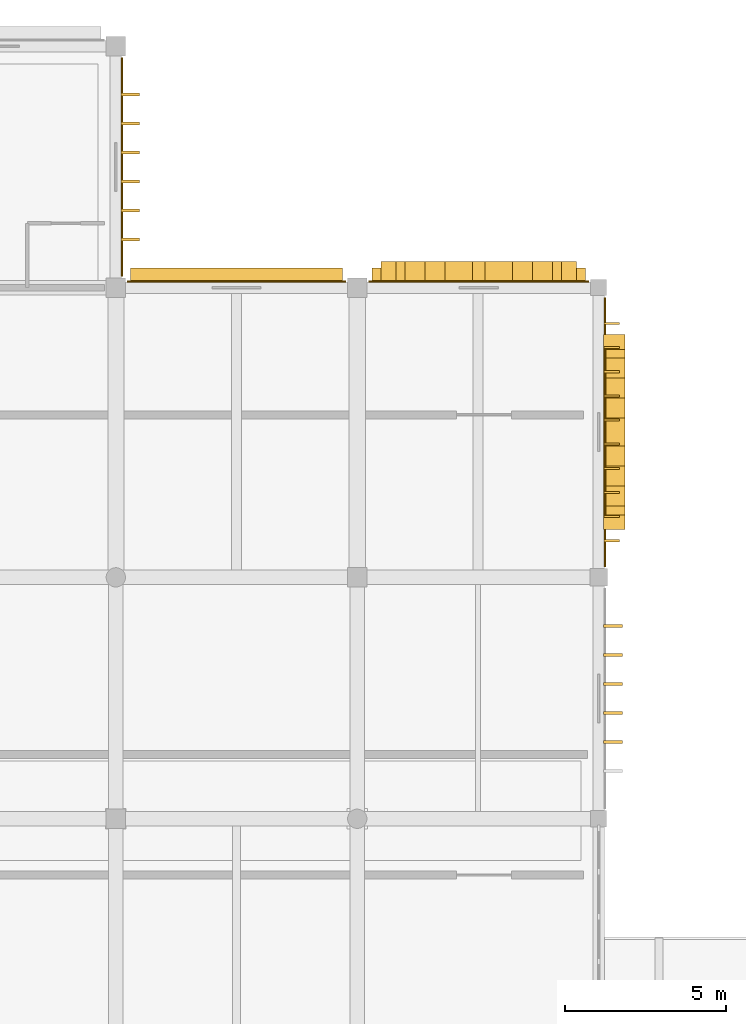
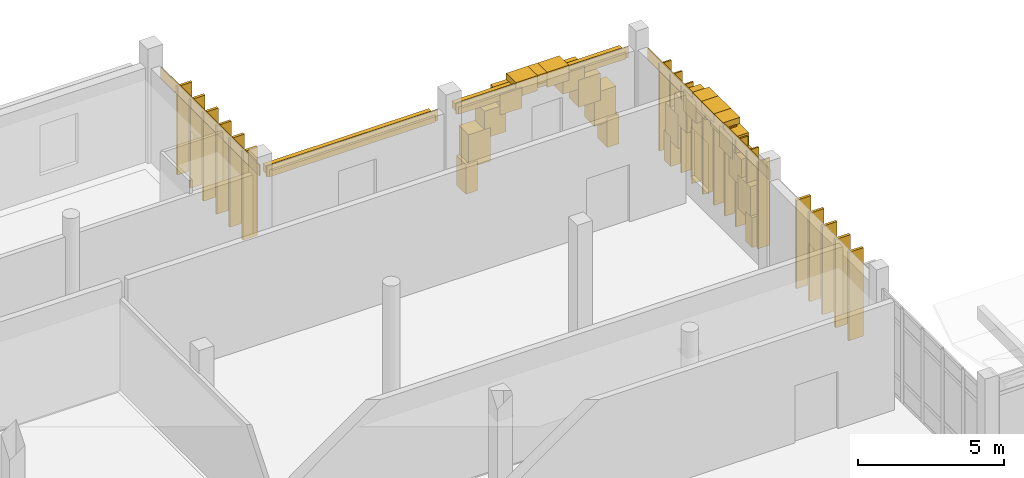
# One storey, part 131 of 131: 37 coverings, 12 shading devices.
"""IFC4 building model written with IfcOpenShell, lengths in metres."""

import ifcopenshell
import ifcopenshell.guid

model = None  # the IFC model being written
_history = None  # IfcOwnerHistory: only IFC2X3 demands one
_inside = {}  # id of a spatial element -> (the spatial element, [elements in it])
_under = {}  # id of a project, library or spatial element -> (it, [spatial elements below it])
_declared = {}  # id of a project -> (the project, [libraries it declares])
_typed = {}  # id of a type object -> (the type object, [elements of that type])
_made_of = {}  # id of a material, layer set ... -> (it, [elements and type objects made of it])


def new_model(schema):
    """Start an empty IFC model of exactly this schema.

    Asked for "IFC4X3", IfcOpenShell would pick the latest addendum, in which some entities
    have other attributes; the version numbers below select the first issue.
    IFC2X3 requires an IfcOwnerHistory on every rooted entity: one is made here for all.
    """
    global model, _history
    if schema == "IFC4X3":
        model = ifcopenshell.file(schema_version=(4, 3, 0, 0))
    else:
        model = ifcopenshell.file(schema=schema)
    _inside.clear()
    _under.clear()
    _declared.clear()
    _typed.clear()
    _made_of.clear()
    _history = None
    if model.schema == "IFC2X3":
        org = make("IfcOrganization", Name="unknown")
        user = make(
            "IfcPersonAndOrganization",
            ThePerson=make("IfcPerson", FamilyName="unknown"),
            TheOrganization=org,
        )
        app = make(
            "IfcApplication",
            ApplicationDeveloper=org,
            Version="unknown",
            ApplicationFullName="unknown",
            ApplicationIdentifier="unknown",
        )
        _history = make(
            "IfcOwnerHistory",
            OwningUser=user,
            OwningApplication=app,
            ChangeAction="ADDED",
            CreationDate=0,
        )
    return model


def make(cls, **values):
    """One entity of the class cls with the attributes given. An attribute that is None is left unset."""
    return model.create_entity(
        cls, **{name: value for name, value in values.items() if value is not None}
    )


def rooted(cls, **values):
    """An entity with a GlobalId (a new one), such as an element, a storey or a relation."""
    return make(cls, GlobalId=ifcopenshell.guid.new(), OwnerHistory=_history, **values)


def si_unit(unit_type, name, prefix=None):
    """IfcSIUnit, for example si_unit("LENGTHUNIT", "METRE", prefix="MILLI")."""
    return make("IfcSIUnit", UnitType=unit_type, Prefix=prefix, Name=name)


def assignment(units):
    """IfcUnitAssignment: the units of a project."""
    return None if units is None else make("IfcUnitAssignment", Units=units)


def point(xyz):
    """IfcCartesianPoint."""
    return None if xyz is None else make("IfcCartesianPoint", Coordinates=xyz)


def direction(xyz):
    """IfcDirection."""
    return None if xyz is None else make("IfcDirection", DirectionRatios=xyz)


def frame(location, z_axis=None, x_axis=None):
    """IfcAxis2Placement3D, a coordinate frame: its origin and axes. An axis left out is left unset."""
    return make(
        "IfcAxis2Placement3D",
        Location=point(location),
        Axis=direction(z_axis),
        RefDirection=direction(x_axis),
    )


def frame_2d(location, x_axis=None):
    """IfcAxis2Placement2D, a coordinate frame in the plane: its origin and x axis."""
    return make(
        "IfcAxis2Placement2D", Location=point(location), RefDirection=direction(x_axis)
    )


def origin():
    """The frame at (0, 0, 0) with its axes left unset."""
    return frame((0.0, 0.0, 0.0))


def origin_2d():
    """The frame at (0, 0) in the plane with its x axis left unset."""
    return frame_2d((0.0, 0.0))


def place(relative_to, where):
    """IfcLocalPlacement: puts the frame where relative to a parent placement (None: the world)."""
    return make(
        "IfcLocalPlacement", PlacementRelTo=relative_to, RelativePlacement=where
    )


def context(
    kind, dimensions, precision=None, world=None, true_north=None, identifier=None
):
    """IfcGeometricRepresentationContext, for example the 3D "Model" context."""
    return make(
        "IfcGeometricRepresentationContext",
        ContextIdentifier=identifier,
        ContextType=kind,
        CoordinateSpaceDimension=dimensions,
        Precision=precision,
        WorldCoordinateSystem=world,
        TrueNorth=true_north,
    )


def subcontext(parent, identifier, kind, view, scale=None):
    """IfcGeometricRepresentationSubContext, for example "Body" below "Model"."""
    return make(
        "IfcGeometricRepresentationSubContext",
        ContextIdentifier=identifier,
        ContextType=kind,
        ParentContext=parent,
        TargetScale=scale,
        TargetView=view,
    )


def project(units=None, contexts=None):
    """IfcProject with its units and contexts."""
    return rooted(
        "IfcProject",
        Name="project",
        RepresentationContexts=contexts,
        UnitsInContext=assignment(units),
    )


def spatial(cls, under=None, at=None, **own):
    """A site, building, storey or space (cls), placed at a placement, below another one or the project."""
    s = rooted(cls, ObjectPlacement=at, **own)
    if under is not None:
        _under.setdefault(under.id(), (under, []))[1].append(s)
    return s


def profile(cls, at=None, kind="AREA", **sizes):
    """A parametric profile (cls). Its sizes go by their IFC names, for example OverallWidth=200.0."""
    return make(cls, ProfileType=kind, Position=at, **sizes)


def rectangle(**sizes):
    """IfcRectangleProfileDef."""
    return profile("IfcRectangleProfileDef", **sizes)


def extrude(swept, where, along, depth):
    """IfcExtrudedAreaSolid: the profile swept, set in the frame where, extruded along a direction by depth."""
    return make(
        "IfcExtrudedAreaSolid",
        SweptArea=swept,
        Position=where,
        ExtrudedDirection=direction(along),
        Depth=depth,
    )


def shape(context_of_items, identifier, shape_type, items):
    """IfcShapeRepresentation: the items that make up one representation, for example the "Body"."""
    return make(
        "IfcShapeRepresentation",
        ContextOfItems=context_of_items,
        RepresentationIdentifier=identifier,
        RepresentationType=shape_type,
        Items=items,
    )


def material(Name=None, Category=None):
    """IfcMaterial."""
    return make("IfcMaterial", Name=Name, Category=Category)


def layer(
    of_material, thickness, ventilated=None, Name=None, Category=None, Priority=None
):
    """IfcMaterialLayer: one layer of a wall or slab, of a material (None: an air gap)."""
    return make(
        "IfcMaterialLayer",
        Material=of_material,
        LayerThickness=thickness,
        IsVentilated=ventilated,
        Name=Name,
        Category=Category,
        Priority=Priority,
    )


def layer_set(layers, Name=None):
    """IfcMaterialLayerSet."""
    return make("IfcMaterialLayerSet", MaterialLayers=layers, LayerSetName=Name)


def made_of(thing, what):
    """Note that an element or type object is made of a material, layer set ...; save() writes the relation."""
    if what is not None:
        _made_of.setdefault(what.id(), (what, []))[1].append(thing)
    return thing


def type_object(cls, material=None, **own):
    """A type object (cls), such as IfcWallType, which elements share."""
    return made_of(rooted(cls, **own), material)


def element(
    cls,
    number,
    at=None,
    inside=None,
    cuts=None,
    type_object=None,
    material=None,
    context=None,
    identifier="Body",
    shape_type=None,
    held_by="IfcProductDefinitionShape",
    body=None,
    shapes=None,
    **own,
):
    """One element of the class cls, such as IfcWall. Its Tag is "e" and its number.

    at: its placement. inside: the storey or other place that contains it. cuts: it is an
    opening in that element (IfcRelVoidsElement). A single representation is given by context,
    identifier, shape_type and body (its items); several are given by shapes. held_by: the class
    of the entity that holds the representations. save() writes the other relations.
    """
    e = rooted(cls, Tag="e%d" % number, ObjectPlacement=at, **own)
    if body is not None:
        shapes = [shape(context, identifier, shape_type, body)]
    if shapes is not None:
        e.Representation = make(held_by, Representations=shapes)
    if inside is not None:
        _inside.setdefault(inside.id(), (inside, []))[1].append(e)
    if cuts is not None:
        rooted(
            "IfcRelVoidsElement", RelatingBuildingElement=cuts, RelatedOpeningElement=e
        )
    if type_object is not None:
        _typed.setdefault(type_object.id(), (type_object, []))[1].append(e)
    return made_of(e, material)


def aggregate(whole, parts):
    """IfcRelAggregates: a whole, such as a stair, and the parts it consists of."""
    return rooted("IfcRelAggregates", RelatingObject=whole, RelatedObjects=parts)


def save(model, path):
    """Write the relations noted so far, then the file.

    IfcRelAggregates (storeys below a building ...), IfcRelContainedInSpatialStructure (elements
    in a storey), IfcRelDefinesByType, IfcRelAssociatesMaterial and IfcRelDeclares: one each for
    every whole, place, type object, material and project.
    """
    for whole, parts in _under.values():
        aggregate(whole, parts)
    for where, things in _inside.values():
        rooted(
            "IfcRelContainedInSpatialStructure",
            RelatedElements=things,
            RelatingStructure=where,
        )
    for kind, things in _typed.values():
        rooted("IfcRelDefinesByType", RelatedObjects=things, RelatingType=kind)
    for what, things in _made_of.values():
        rooted("IfcRelAssociatesMaterial", RelatedObjects=things, RelatingMaterial=what)
    for by, libraries in _declared.values():
        rooted("IfcRelDeclares", RelatingContext=by, RelatedDefinitions=libraries)
    model.write(path)


model = new_model("IFC4")

# Units and contexts
model_context = context("Model", 3, precision=1e-05, world=origin(), true_north=direction((0.0, 1.0)))
body_context = subcontext(model_context, "Body", "Model", "MODEL_VIEW")
ifc_project = project(units=[si_unit("LENGTHUNIT", "METRE"), si_unit("AREAUNIT", "SQUARE_METRE"), si_unit("VOLUMEUNIT", "CUBIC_METRE"), si_unit("PLANEANGLEUNIT", "RADIAN"), si_unit("MASSUNIT", "GRAM", prefix="KILO")], contexts=[model_context])

# Site, building, storey
site_placement = place(None, origin())
site = spatial("IfcSite", under=ifc_project, at=site_placement, CompositionType="ELEMENT")
building_placement = place(site_placement, origin())
building = spatial("IfcBuilding", under=site, at=building_placement, Name="Dalvernix Boulevard General Hospital", CompositionType="ELEMENT")
storey_placement = place(building_placement, frame((0.0, 0.0, 9.300048828125)))
storey = spatial("IfcBuildingStorey", under=building, at=storey_placement, Name="L02", CompositionType="ELEMENT", Elevation=9.300048828125)

# Coverings
ifc_material_1 = material(Name="Pressed Catalan clay brick and dressed limestone parabolic archivolt", Category="masonry")
ifc_layer_1 = layer(ifc_material_1, 0.419921875)
ifc_layer_set_1 = layer_set([ifc_layer_1], Name="Pressed Catalan clay brick and dressed limestone parabolic archivolt (COV-ARC-01)")
covering_type_1 = type_object("IfcCoveringType", Name="COV-ARC-01", PredefinedType="CLADDING", material=ifc_layer_set_1)
for number, where, z_axis, x_axis, name in (
    (1, (135.97509765625, 109.985107421875, 0.0), (0.0, 0.0, 1.0), (1.0, 0.0, 0.0), "L02 Catalan parabolic arch impost pier N 18-14-L"),
    (2, (141.574951171875, 109.985107421875, 0.0), (0.0, 0.0, 1.0), (1.0, 0.0, 0.0), "L02 Catalan parabolic arch impost pier N 18-14-R"),
):
    element("IfcCovering", number, at=place(storey_placement, frame(where, z_axis=z_axis, x_axis=x_axis)), inside=storey, type_object=covering_type_1, Name=name, PredefinedType="CLADDING", context=body_context, shape_type="SweptSolid", body=[
        extrude(rectangle(XDim=0.4599609375, YDim=0.659912109375, at=origin_2d()), origin(), (0.0, 0.0, 1.0), 1.25),
    ])
covering_1_placement = place(storey_placement, frame((136.2861328125, 109.985107421875, 1.059814453125), z_axis=(0.0, 0.0, 1.0), x_axis=(1.0, 0.0, 0.0)))
element("IfcCovering", 3, at=covering_1_placement, inside=storey, type_object=covering_type_1, Name="L02 Catalan parabolic archivolt voussoir N 18-14-1", PredefinedType="CLADDING", context=body_context, shape_type="SweptSolid", body=[
    extrude(rectangle(XDim=0.8623046875, YDim=0.659912109375, at=origin_2d()), origin(), (0.0, 0.0, 1.0), 1.3994140625),
])
covering_2_placement = place(storey_placement, frame((136.908203125, 109.985107421875, 2.0791015625), z_axis=(0.0, 0.0, 1.0), x_axis=(1.0, 0.0, 0.0)))
element("IfcCovering", 4, at=covering_2_placement, inside=storey, type_object=covering_type_1, Name="L02 Catalan parabolic archivolt voussoir N 18-14-2", PredefinedType="CLADDING", context=body_context, shape_type="SweptSolid", body=[
    extrude(rectangle(XDim=0.8623046875, YDim=0.659912109375, at=origin_2d()), origin(), (0.0, 0.0, 1.0), 1.144287109375),
])
covering_3_placement = place(storey_placement, frame((137.530517578125, 109.985107421875, 2.843505859375), z_axis=(0.0, 0.0, 1.0), x_axis=(1.0, 0.0, 0.0)))
element("IfcCovering", 5, at=covering_3_placement, inside=storey, type_object=covering_type_1, Name="L02 Catalan parabolic archivolt voussoir N 18-14-3", PredefinedType="CLADDING", context=body_context, shape_type="SweptSolid", body=[
    extrude(rectangle(XDim=0.8623046875, YDim=0.659912109375, at=origin_2d()), origin(), (0.0, 0.0, 1.0), 0.8896484375),
])
covering_4_placement = place(storey_placement, frame((138.15283203125, 109.985107421875, 3.353271484375), z_axis=(0.0, 0.0, 1.0), x_axis=(1.0, 0.0, 0.0)))
element("IfcCovering", 6, at=covering_4_placement, inside=storey, type_object=covering_type_1, Name="L02 Catalan parabolic archivolt voussoir N 18-14-4", PredefinedType="CLADDING", context=body_context, shape_type="SweptSolid", body=[
    extrude(rectangle(XDim=0.8623046875, YDim=0.659912109375, at=origin_2d()), origin(), (0.0, 0.0, 1.0), 0.634765625),
])
covering_5_placement = place(storey_placement, frame((138.77490234375, 109.985107421875, 3.608154296875), z_axis=(0.0, 0.0, 1.0), x_axis=(1.0, 0.0, 0.0)))
element("IfcCovering", 7, at=covering_5_placement, inside=storey, type_object=covering_type_1, Name="L02 Catalan parabolic archivolt voussoir N 18-14-5", PredefinedType="CLADDING", context=body_context, shape_type="SweptSolid", body=[
    extrude(rectangle(XDim=0.8623046875, YDim=0.659912109375, at=origin_2d()), origin(), (0.0, 0.0, 1.0), 0.3798828125),
])
covering_6_placement = place(storey_placement, frame((139.397216796875, 109.985107421875, 3.353271484375), z_axis=(0.0, 0.0, 1.0), x_axis=(1.0, 0.0, 0.0)))
element("IfcCovering", 8, at=covering_6_placement, inside=storey, type_object=covering_type_1, Name="L02 Catalan parabolic archivolt voussoir N 18-14-6", PredefinedType="CLADDING", context=body_context, shape_type="SweptSolid", body=[
    extrude(rectangle(XDim=0.8623046875, YDim=0.659912109375, at=origin_2d()), origin(), (0.0, 0.0, 1.0), 0.634765625),
])
covering_7_placement = place(storey_placement, frame((140.019287109375, 109.985107421875, 2.843505859375), z_axis=(0.0, 0.0, 1.0), x_axis=(1.0, 0.0, 0.0)))
element("IfcCovering", 9, at=covering_7_placement, inside=storey, type_object=covering_type_1, Name="L02 Catalan parabolic archivolt voussoir N 18-14-7", PredefinedType="CLADDING", context=body_context, shape_type="SweptSolid", body=[
    extrude(rectangle(XDim=0.8623046875, YDim=0.659912109375, at=origin_2d()), origin(), (0.0, 0.0, 1.0), 0.8896484375),
])
covering_8_placement = place(storey_placement, frame((140.6416015625, 109.985107421875, 2.0791015625), z_axis=(0.0, 0.0, 1.0), x_axis=(1.0, 0.0, 0.0)))
element("IfcCovering", 10, at=covering_8_placement, inside=storey, type_object=covering_type_1, Name="L02 Catalan parabolic archivolt voussoir N 18-14-8", PredefinedType="CLADDING", context=body_context, shape_type="SweptSolid", body=[
    extrude(rectangle(XDim=0.8623046875, YDim=0.659912109375, at=origin_2d()), origin(), (0.0, 0.0, 1.0), 1.144287109375),
])
covering_9_placement = place(storey_placement, frame((141.263916015625, 109.985107421875, 1.059814453125), z_axis=(0.0, 0.0, 1.0), x_axis=(1.0, 0.0, 0.0)))
element("IfcCovering", 11, at=covering_9_placement, inside=storey, type_object=covering_type_1, Name="L02 Catalan parabolic archivolt voussoir N 18-14-9", PredefinedType="CLADDING", context=body_context, shape_type="SweptSolid", body=[
    extrude(rectangle(XDim=0.8623046875, YDim=0.659912109375, at=origin_2d()), origin(), (0.0, 0.0, 1.0), 1.3994140625),
])
for number, where, z_axis, x_axis, name in (
    (12, (142.985107421875, 107.8125, 0.0), (0.0, 0.0, 1.0), (0.0, -1.0, 0.0), "L02 Catalan parabolic arch impost pier E 19-13-L"),
    (13, (142.985107421875, 102.21240234375, 0.0), (0.0, 0.0, 1.0), (0.0, -1.0, 0.0), "L02 Catalan parabolic arch impost pier E 19-13-R"),
):
    element("IfcCovering", number, at=place(storey_placement, frame(where, z_axis=z_axis, x_axis=x_axis)), inside=storey, type_object=covering_type_1, Name=name, PredefinedType="CLADDING", context=body_context, shape_type="SweptSolid", body=[
        extrude(rectangle(XDim=0.4599609375, YDim=0.659912109375, at=origin_2d()), origin(), (0.0, 0.0, 1.0), 1.25),
    ])
covering_10_placement = place(storey_placement, frame((142.985107421875, 107.50146484375, 1.06005859375), z_axis=(0.0, 0.0, 1.0), x_axis=(0.0, -1.0, 0.0)))
element("IfcCovering", 14, at=covering_10_placement, inside=storey, type_object=covering_type_1, Name="L02 Catalan parabolic archivolt voussoir E 19-13-1", PredefinedType="CLADDING", context=body_context, shape_type="SweptSolid", body=[
    extrude(rectangle(XDim=0.8623046875, YDim=0.659912109375, at=origin_2d()), origin(), (0.0, 0.0, 1.0), 1.4189453125),
])
covering_11_placement = place(storey_placement, frame((142.985107421875, 106.879150390625, 2.098876953125), z_axis=(0.0, 0.0, 1.0), x_axis=(0.0, -1.0, 0.0)))
element("IfcCovering", 15, at=covering_11_placement, inside=storey, type_object=covering_type_1, Name="L02 Catalan parabolic archivolt voussoir E 19-13-2", PredefinedType="CLADDING", context=body_context, shape_type="SweptSolid", body=[
    extrude(rectangle(XDim=0.8623046875, YDim=0.659912109375, at=origin_2d()), origin(), (0.0, 0.0, 1.0), 1.1591796875),
])
covering_12_placement = place(storey_placement, frame((142.985107421875, 106.2568359375, 2.878173828125), z_axis=(0.0, 0.0, 1.0), x_axis=(0.0, -1.0, 0.0)))
element("IfcCovering", 16, at=covering_12_placement, inside=storey, type_object=covering_type_1, Name="L02 Catalan parabolic archivolt voussoir E 19-13-3", PredefinedType="CLADDING", context=body_context, shape_type="SweptSolid", body=[
    extrude(rectangle(XDim=0.8623046875, YDim=0.659912109375, at=origin_2d()), origin(), (0.0, 0.0, 1.0), 0.8994140625),
])
covering_13_placement = place(storey_placement, frame((142.985107421875, 105.634765625, 3.3974609375), z_axis=(0.0, 0.0, 1.0), x_axis=(0.0, -1.0, 0.0)))
element("IfcCovering", 17, at=covering_13_placement, inside=storey, type_object=covering_type_1, Name="L02 Catalan parabolic archivolt voussoir E 19-13-4", PredefinedType="CLADDING", context=body_context, shape_type="SweptSolid", body=[
    extrude(rectangle(XDim=0.8623046875, YDim=0.659912109375, at=origin_2d()), origin(), (0.0, 0.0, 1.0), 0.639892578125),
])
covering_14_placement = place(storey_placement, frame((142.985107421875, 105.012451171875, 3.657470703125), z_axis=(0.0, 0.0, 1.0), x_axis=(0.0, -1.0, 0.0)))
element("IfcCovering", 18, at=covering_14_placement, inside=storey, type_object=covering_type_1, Name="L02 Catalan parabolic archivolt voussoir E 19-13-5", PredefinedType="CLADDING", context=body_context, shape_type="SweptSolid", body=[
    extrude(rectangle(XDim=0.8623046875, YDim=0.659912109375, at=origin_2d()), origin(), (0.0, 0.0, 1.0), 0.3798828125),
])
covering_15_placement = place(storey_placement, frame((142.985107421875, 104.390380859375, 3.3974609375), z_axis=(0.0, 0.0, 1.0), x_axis=(0.0, -1.0, 0.0)))
element("IfcCovering", 19, at=covering_15_placement, inside=storey, type_object=covering_type_1, Name="L02 Catalan parabolic archivolt voussoir E 19-13-6", PredefinedType="CLADDING", context=body_context, shape_type="SweptSolid", body=[
    extrude(rectangle(XDim=0.8623046875, YDim=0.659912109375, at=origin_2d()), origin(), (0.0, 0.0, 1.0), 0.639892578125),
])
covering_16_placement = place(storey_placement, frame((142.985107421875, 103.76806640625, 2.878173828125), z_axis=(0.0, 0.0, 1.0), x_axis=(0.0, -1.0, 0.0)))
element("IfcCovering", 20, at=covering_16_placement, inside=storey, type_object=covering_type_1, Name="L02 Catalan parabolic archivolt voussoir E 19-13-7", PredefinedType="CLADDING", context=body_context, shape_type="SweptSolid", body=[
    extrude(rectangle(XDim=0.8623046875, YDim=0.659912109375, at=origin_2d()), origin(), (0.0, 0.0, 1.0), 0.8994140625),
])
covering_17_placement = place(storey_placement, frame((142.985107421875, 103.145751953125, 2.098876953125), z_axis=(0.0, 0.0, 1.0), x_axis=(0.0, -1.0, 0.0)))
element("IfcCovering", 21, at=covering_17_placement, inside=storey, type_object=covering_type_1, Name="L02 Catalan parabolic archivolt voussoir E 19-13-8", PredefinedType="CLADDING", context=body_context, shape_type="SweptSolid", body=[
    extrude(rectangle(XDim=0.8623046875, YDim=0.659912109375, at=origin_2d()), origin(), (0.0, 0.0, 1.0), 1.1591796875),
])
covering_18_placement = place(storey_placement, frame((142.985107421875, 102.523681640625, 1.06005859375), z_axis=(0.0, 0.0, 1.0), x_axis=(0.0, -1.0, 0.0)))
element("IfcCovering", 22, at=covering_18_placement, inside=storey, type_object=covering_type_1, Name="L02 Catalan parabolic archivolt voussoir E 19-13-9", PredefinedType="CLADDING", context=body_context, shape_type="SweptSolid", body=[
    extrude(rectangle(XDim=0.8623046875, YDim=0.659912109375, at=origin_2d()), origin(), (0.0, 0.0, 1.0), 1.4189453125),
])
ifc_material_2 = material(Name="Polychrome Catalan glazed ceramic spandrel tile panel")
ifc_layer_2 = layer(ifc_material_2, 0.044921875)
ifc_layer_set_2 = layer_set([ifc_layer_2], Name="Polychrome Catalan glazed ceramic spandrel tile panel (COV-CLD-01)")
covering_type_2 = type_object("IfcCoveringType", Name="COV-CLD-01", PredefinedType="CLADDING", material=ifc_layer_set_2)
for number, where, z_axis, x_axis, name in (
    (23, (127.695068359375, 113.25, 3.47509765625), (0.0, 0.0, 1.0), (0.0, -1.0, 0.0), "L02 polychrome ceramic spandrel E 17-14"),
    (24, (131.25, 109.695068359375, 3.47509765625), (0.0, 0.0, 1.0), (1.0, 0.0, 0.0), "L02 polychrome ceramic spandrel N 17-14"),
):
    element("IfcCovering", number, at=place(storey_placement, frame(where, z_axis=z_axis, x_axis=x_axis)), inside=storey, type_object=covering_type_2, Name=name, PredefinedType="CLADDING", context=body_context, shape_type="SweptSolid", body=[
        extrude(rectangle(XDim=6.780029296875, YDim=0.044921875, at=origin_2d()), origin(), (0.0, 0.0, 1.0), 0.449951171875),
    ])
covering_19_placement = place(storey_placement, frame((138.77490234375, 109.695068359375, 3.47509765625), z_axis=(0.0, 0.0, 1.0), x_axis=(1.0, 0.0, 0.0)))
element("IfcCovering", 25, at=covering_19_placement, inside=storey, type_object=covering_type_2, Name="L02 polychrome ceramic spandrel N 18-14", PredefinedType="CLADDING", context=body_context, shape_type="SweptSolid", body=[
    extrude(rectangle(XDim=6.830078125, YDim=0.044921875, at=origin_2d()), origin(), (0.0, 0.0, 1.0), 0.449951171875),
])
covering_20_placement = place(storey_placement, frame((142.695068359375, 105.012451171875, 3.52490234375), z_axis=(0.0, 0.0, 1.0), x_axis=(0.0, -1.0, 0.0)))
element("IfcCovering", 26, at=covering_20_placement, inside=storey, type_object=covering_type_2, Name="L02 polychrome ceramic spandrel E 19-13", PredefinedType="CLADDING", context=body_context, shape_type="SweptSolid", body=[
    extrude(rectangle(XDim=8.35498046875, YDim=0.044921875, at=origin_2d()), origin(), (0.0, 0.0, 1.0), 0.449951171875),
])
ifc_material_3 = material(Name="Terracotta-clad iroko timber brise-soleil sun-breaker fin", Category="masonry")
ifc_layer_3 = layer(ifc_material_3, 0.10009765625)
ifc_layer_set_3 = layer_set([ifc_layer_3], Name="Terracotta-clad iroko timber brise-soleil sun-breaker fin (COV-FIN-02)")
covering_type_3 = type_object("IfcCoveringType", Name="COV-FIN-02", PredefinedType="CLADDING", material=ifc_layer_set_3)
for number, where, z_axis, x_axis, name in (
    (27, (127.945068359375, 115.5, 0.119873046875), (0.0, 0.0, 1.0), (0.0, -1.0, 0.0), "L02 terracotta brise-soleil fin E 17-14-1"),
    (28, (127.945068359375, 114.60009765625, 0.119873046875), (0.0, 0.0, 1.0), (0.0, -1.0, 0.0), "L02 terracotta brise-soleil fin E 17-14-2"),
    (29, (127.945068359375, 113.699951171875, 0.119873046875), (0.0, 0.0, 1.0), (0.0, -1.0, 0.0), "L02 terracotta brise-soleil fin E 17-14-3"),
    (30, (127.945068359375, 112.800048828125, 0.119873046875), (0.0, 0.0, 1.0), (0.0, -1.0, 0.0), "L02 terracotta brise-soleil fin E 17-14-4"),
    (31, (127.945068359375, 111.89990234375, 0.119873046875), (0.0, 0.0, 1.0), (0.0, -1.0, 0.0), "L02 terracotta brise-soleil fin E 17-14-5"),
    (32, (127.945068359375, 111.0, 0.119873046875), (0.0, 0.0, 1.0), (0.0, -1.0, 0.0), "L02 terracotta brise-soleil fin E 17-14-6"),
    (33, (142.945068359375, 98.987548828125, 0.119873046875), (0.0, 0.0, 1.0), (0.0, -1.0, 0.0), "L02 terracotta brise-soleil fin E 19-12-1"),
    (34, (142.945068359375, 98.08740234375, 0.119873046875), (0.0, 0.0, 1.0), (0.0, -1.0, 0.0), "L02 terracotta brise-soleil fin E 19-12-2"),
    (35, (142.945068359375, 97.1875, 0.119873046875), (0.0, 0.0, 1.0), (0.0, -1.0, 0.0), "L02 terracotta brise-soleil fin E 19-12-3"),
    (36, (142.945068359375, 96.28759765625, 0.119873046875), (0.0, 0.0, 1.0), (0.0, -1.0, 0.0), "L02 terracotta brise-soleil fin E 19-12-4"),
    (37, (142.945068359375, 95.387451171875, 0.119873046875), (0.0, 0.0, 1.0), (0.0, -1.0, 0.0), "L02 terracotta brise-soleil fin E 19-12-5"),
):
    element("IfcCovering", number, at=place(storey_placement, frame(where, z_axis=z_axis, x_axis=x_axis)), inside=storey, type_object=covering_type_3, Name=name, PredefinedType="CLADDING", context=body_context, shape_type="SweptSolid", body=[
        extrude(rectangle(XDim=0.10009765625, YDim=0.580078125, at=origin_2d()), origin(), (0.0, 0.0, 1.0), 3.7099609375),
    ])

# Shading devices
ifc_material_4 = material(Name="Preservative-treated West African iroko timber", Category="wood")
shading_device_type_1 = type_object("IfcShadingDeviceType", Name="SHD-FIN-01", PredefinedType="USERDEFINED", material=ifc_material_4)
for number, where, z_axis, x_axis, name in (
    (38, (142.905029296875, 108.387451171875, 0.175048828125), (0.0, 0.0, 1.0), (0.0, -1.0, 0.0), "L02 iroko brise-soleil fin 1"),
    (39, (142.905029296875, 107.637451171875, 0.175048828125), (0.0, 0.0, 1.0), (0.0, -1.0, 0.0), "L02 iroko brise-soleil fin 2"),
    (40, (142.905029296875, 106.887451171875, 0.175048828125), (0.0, 0.0, 1.0), (0.0, -1.0, 0.0), "L02 iroko brise-soleil fin 3"),
    (41, (142.905029296875, 106.137451171875, 0.175048828125), (0.0, 0.0, 1.0), (0.0, -1.0, 0.0), "L02 iroko brise-soleil fin 4"),
    (42, (142.905029296875, 105.387451171875, 0.175048828125), (0.0, 0.0, 1.0), (0.0, -1.0, 0.0), "L02 iroko brise-soleil fin 5"),
    (43, (142.905029296875, 104.637451171875, 0.175048828125), (0.0, 0.0, 1.0), (0.0, -1.0, 0.0), "L02 iroko brise-soleil fin 6"),
    (44, (142.905029296875, 103.887451171875, 0.175048828125), (0.0, 0.0, 1.0), (0.0, -1.0, 0.0), "L02 iroko brise-soleil fin 7"),
    (45, (142.905029296875, 103.137451171875, 0.175048828125), (0.0, 0.0, 1.0), (0.0, -1.0, 0.0), "L02 iroko brise-soleil fin 8"),
    (46, (142.905029296875, 102.387451171875, 0.175048828125), (0.0, 0.0, 1.0), (0.0, -1.0, 0.0), "L02 iroko brise-soleil fin 9"),
    (47, (142.905029296875, 101.637451171875, 0.175048828125), (0.0, 0.0, 1.0), (0.0, -1.0, 0.0), "L02 iroko brise-soleil fin 10"),
):
    element("IfcShadingDevice", number, at=place(storey_placement, frame(where, z_axis=z_axis, x_axis=x_axis)), inside=storey, type_object=shading_device_type_1, Name=name, ObjectType="FIN", PredefinedType="USERDEFINED", context=body_context, shape_type="SweptSolid", body=[
        extrude(rectangle(XDim=0.06494140625, YDim=0.47998046875, at=origin_2d()), origin(), (0.0, 0.0, 1.0), 3.64990234375),
    ])
ifc_material_5 = material(Name="Extruded aluminium solar jalousie louvre bank", Category="aluminium")
shading_device_type_2 = type_object("IfcShadingDeviceType", Name="SHD-JAL-01", PredefinedType="JALOUSIE", material=ifc_material_5)
shading_device_1_placement = place(storey_placement, frame((131.25, 109.885009765625, 3.44970703125), z_axis=(0.0, 0.0, 1.0), x_axis=(1.0, 0.0, 0.0)))
element("IfcShadingDevice", 48, at=shading_device_1_placement, inside=storey, type_object=shading_device_type_2, Name="L02 solar jalousie louvre N 17-14", PredefinedType="JALOUSIE", context=body_context, shape_type="SweptSolid", body=[
    extrude(rectangle(XDim=6.580078125, YDim=0.449951171875, at=origin_2d()), origin(), (0.0, 0.0, 1.0), 0.300048828125),
])
shading_device_2_placement = place(storey_placement, frame((138.77490234375, 109.885009765625, 3.44970703125), z_axis=(0.0, 0.0, 1.0), x_axis=(1.0, 0.0, 0.0)))
element("IfcShadingDevice", 49, at=shading_device_2_placement, inside=storey, type_object=shading_device_type_2, Name="L02 solar jalousie louvre N 18-14", PredefinedType="JALOUSIE", context=body_context, shape_type="SweptSolid", body=[
    extrude(rectangle(XDim=6.6298828125, YDim=0.449951171875, at=origin_2d()), origin(), (0.0, 0.0, 1.0), 0.300048828125),
])

save(model, "model.ifc")
